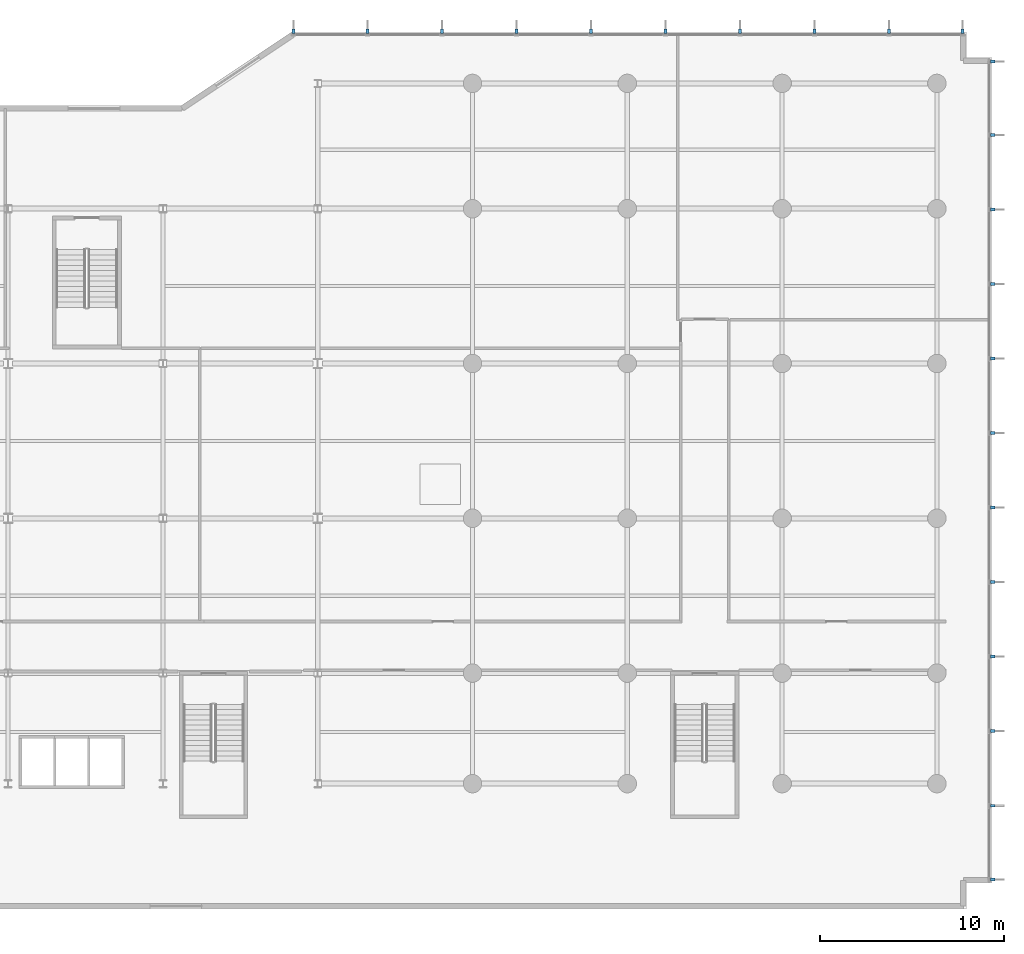
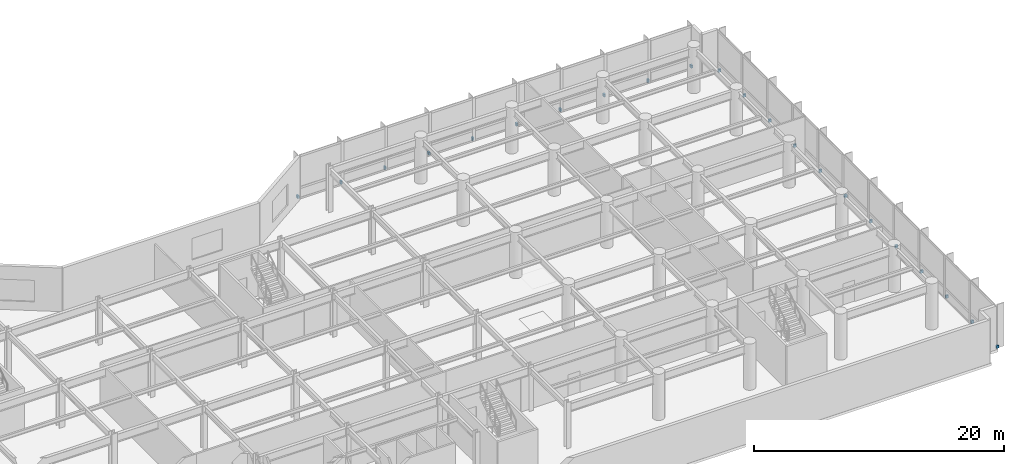
# One storey, part 20 of 26: 22 discrete accessories.
"""IFC4 building model written with IfcOpenShell, lengths in metres."""

import ifcopenshell
import ifcopenshell.guid

model = None  # the IFC model being written
_history = None  # IfcOwnerHistory: only IFC2X3 demands one
_inside = {}  # id of a spatial element -> (the spatial element, [elements in it])
_under = {}  # id of a project, library or spatial element -> (it, [spatial elements below it])
_declared = {}  # id of a project -> (the project, [libraries it declares])
_typed = {}  # id of a type object -> (the type object, [elements of that type])
_made_of = {}  # id of a material, layer set ... -> (it, [elements and type objects made of it])


def new_model(schema):
    """Start an empty IFC model of exactly this schema.

    Asked for "IFC4X3", IfcOpenShell would pick the latest addendum, in which some entities
    have other attributes; the version numbers below select the first issue.
    IFC2X3 requires an IfcOwnerHistory on every rooted entity: one is made here for all.
    """
    global model, _history
    if schema == "IFC4X3":
        model = ifcopenshell.file(schema_version=(4, 3, 0, 0))
    else:
        model = ifcopenshell.file(schema=schema)
    _inside.clear()
    _under.clear()
    _declared.clear()
    _typed.clear()
    _made_of.clear()
    _history = None
    if model.schema == "IFC2X3":
        org = make("IfcOrganization", Name="unknown")
        user = make(
            "IfcPersonAndOrganization",
            ThePerson=make("IfcPerson", FamilyName="unknown"),
            TheOrganization=org,
        )
        app = make(
            "IfcApplication",
            ApplicationDeveloper=org,
            Version="unknown",
            ApplicationFullName="unknown",
            ApplicationIdentifier="unknown",
        )
        _history = make(
            "IfcOwnerHistory",
            OwningUser=user,
            OwningApplication=app,
            ChangeAction="ADDED",
            CreationDate=0,
        )
    return model


def make(cls, **values):
    """One entity of the class cls with the attributes given. An attribute that is None is left unset."""
    return model.create_entity(
        cls, **{name: value for name, value in values.items() if value is not None}
    )


def rooted(cls, **values):
    """An entity with a GlobalId (a new one), such as an element, a storey or a relation."""
    return make(cls, GlobalId=ifcopenshell.guid.new(), OwnerHistory=_history, **values)


def si_unit(unit_type, name, prefix=None):
    """IfcSIUnit, for example si_unit("LENGTHUNIT", "METRE", prefix="MILLI")."""
    return make("IfcSIUnit", UnitType=unit_type, Prefix=prefix, Name=name)


def assignment(units):
    """IfcUnitAssignment: the units of a project."""
    return None if units is None else make("IfcUnitAssignment", Units=units)


def point(xyz):
    """IfcCartesianPoint."""
    return None if xyz is None else make("IfcCartesianPoint", Coordinates=xyz)


def direction(xyz):
    """IfcDirection."""
    return None if xyz is None else make("IfcDirection", DirectionRatios=xyz)


def frame(location, z_axis=None, x_axis=None):
    """IfcAxis2Placement3D, a coordinate frame: its origin and axes. An axis left out is left unset."""
    return make(
        "IfcAxis2Placement3D",
        Location=point(location),
        Axis=direction(z_axis),
        RefDirection=direction(x_axis),
    )


def frame_2d(location, x_axis=None):
    """IfcAxis2Placement2D, a coordinate frame in the plane: its origin and x axis."""
    return make(
        "IfcAxis2Placement2D", Location=point(location), RefDirection=direction(x_axis)
    )


def origin():
    """The frame at (0, 0, 0) with its axes left unset."""
    return frame((0.0, 0.0, 0.0))


def origin_2d():
    """The frame at (0, 0) in the plane with its x axis left unset."""
    return frame_2d((0.0, 0.0))


def place(relative_to, where):
    """IfcLocalPlacement: puts the frame where relative to a parent placement (None: the world)."""
    return make(
        "IfcLocalPlacement", PlacementRelTo=relative_to, RelativePlacement=where
    )


def context(
    kind, dimensions, precision=None, world=None, true_north=None, identifier=None
):
    """IfcGeometricRepresentationContext, for example the 3D "Model" context."""
    return make(
        "IfcGeometricRepresentationContext",
        ContextIdentifier=identifier,
        ContextType=kind,
        CoordinateSpaceDimension=dimensions,
        Precision=precision,
        WorldCoordinateSystem=world,
        TrueNorth=true_north,
    )


def subcontext(parent, identifier, kind, view, scale=None):
    """IfcGeometricRepresentationSubContext, for example "Body" below "Model"."""
    return make(
        "IfcGeometricRepresentationSubContext",
        ContextIdentifier=identifier,
        ContextType=kind,
        ParentContext=parent,
        TargetScale=scale,
        TargetView=view,
    )


def project(units=None, contexts=None):
    """IfcProject with its units and contexts."""
    return rooted(
        "IfcProject",
        Name="project",
        RepresentationContexts=contexts,
        UnitsInContext=assignment(units),
    )


def spatial(cls, under=None, at=None, **own):
    """A site, building, storey or space (cls), placed at a placement, below another one or the project."""
    s = rooted(cls, ObjectPlacement=at, **own)
    if under is not None:
        _under.setdefault(under.id(), (under, []))[1].append(s)
    return s


def profile(cls, at=None, kind="AREA", **sizes):
    """A parametric profile (cls). Its sizes go by their IFC names, for example OverallWidth=200.0."""
    return make(cls, ProfileType=kind, Position=at, **sizes)


def rectangle(**sizes):
    """IfcRectangleProfileDef."""
    return profile("IfcRectangleProfileDef", **sizes)


def extrude(swept, where, along, depth):
    """IfcExtrudedAreaSolid: the profile swept, set in the frame where, extruded along a direction by depth."""
    return make(
        "IfcExtrudedAreaSolid",
        SweptArea=swept,
        Position=where,
        ExtrudedDirection=direction(along),
        Depth=depth,
    )


def shape(context_of_items, identifier, shape_type, items):
    """IfcShapeRepresentation: the items that make up one representation, for example the "Body"."""
    return make(
        "IfcShapeRepresentation",
        ContextOfItems=context_of_items,
        RepresentationIdentifier=identifier,
        RepresentationType=shape_type,
        Items=items,
    )


def material(Name=None, Category=None):
    """IfcMaterial."""
    return make("IfcMaterial", Name=Name, Category=Category)


def made_of(thing, what):
    """Note that an element or type object is made of a material, layer set ...; save() writes the relation."""
    if what is not None:
        _made_of.setdefault(what.id(), (what, []))[1].append(thing)
    return thing


def type_object(cls, material=None, **own):
    """A type object (cls), such as IfcWallType, which elements share."""
    return made_of(rooted(cls, **own), material)


def element(
    cls,
    number,
    at=None,
    inside=None,
    cuts=None,
    type_object=None,
    material=None,
    context=None,
    identifier="Body",
    shape_type=None,
    held_by="IfcProductDefinitionShape",
    body=None,
    shapes=None,
    **own,
):
    """One element of the class cls, such as IfcWall. Its Tag is "e" and its number.

    at: its placement. inside: the storey or other place that contains it. cuts: it is an
    opening in that element (IfcRelVoidsElement). A single representation is given by context,
    identifier, shape_type and body (its items); several are given by shapes. held_by: the class
    of the entity that holds the representations. save() writes the other relations.
    """
    e = rooted(cls, Tag="e%d" % number, ObjectPlacement=at, **own)
    if body is not None:
        shapes = [shape(context, identifier, shape_type, body)]
    if shapes is not None:
        e.Representation = make(held_by, Representations=shapes)
    if inside is not None:
        _inside.setdefault(inside.id(), (inside, []))[1].append(e)
    if cuts is not None:
        rooted(
            "IfcRelVoidsElement", RelatingBuildingElement=cuts, RelatedOpeningElement=e
        )
    if type_object is not None:
        _typed.setdefault(type_object.id(), (type_object, []))[1].append(e)
    return made_of(e, material)


def aggregate(whole, parts):
    """IfcRelAggregates: a whole, such as a stair, and the parts it consists of."""
    return rooted("IfcRelAggregates", RelatingObject=whole, RelatedObjects=parts)


def save(model, path):
    """Write the relations noted so far, then the file.

    IfcRelAggregates (storeys below a building ...), IfcRelContainedInSpatialStructure (elements
    in a storey), IfcRelDefinesByType, IfcRelAssociatesMaterial and IfcRelDeclares: one each for
    every whole, place, type object, material and project.
    """
    for whole, parts in _under.values():
        aggregate(whole, parts)
    for where, things in _inside.values():
        rooted(
            "IfcRelContainedInSpatialStructure",
            RelatedElements=things,
            RelatingStructure=where,
        )
    for kind, things in _typed.values():
        rooted("IfcRelDefinesByType", RelatedObjects=things, RelatingType=kind)
    for what, things in _made_of.values():
        rooted("IfcRelAssociatesMaterial", RelatedObjects=things, RelatingMaterial=what)
    for by, libraries in _declared.values():
        rooted("IfcRelDeclares", RelatingContext=by, RelatedDefinitions=libraries)
    model.write(path)


model = new_model("IFC4")

# Units and contexts
model_context = context("Model", 3, precision=1e-05, world=origin(), true_north=direction((0.0, 1.0)))
body_context = subcontext(model_context, "Body", "Model", "MODEL_VIEW")
ifc_project = project(units=[si_unit("LENGTHUNIT", "METRE"), si_unit("AREAUNIT", "SQUARE_METRE"), si_unit("VOLUMEUNIT", "CUBIC_METRE"), si_unit("PLANEANGLEUNIT", "RADIAN"), si_unit("MASSUNIT", "GRAM", prefix="KILO")], contexts=[model_context])

# Site, building, storey
site_placement = place(None, origin())
site = spatial("IfcSite", under=ifc_project, at=site_placement, CompositionType="ELEMENT")
building_placement = place(site_placement, origin())
building = spatial("IfcBuilding", under=site, at=building_placement, Name="Varnakote Quay Hospital", CompositionType="ELEMENT")
storey_placement = place(building_placement, frame((0.0, 0.0, 9.0)))
storey = spatial("IfcBuildingStorey", under=building, at=storey_placement, Name="L02", CompositionType="ELEMENT", Elevation=9.0)

# Discrete accessories
ifc_material = material(Name="Anodised aluminium 6063-T6 Bronze", Category="aluminium")
discrete_accessory_type = type_object("IfcDiscreteAccessoryType", Name="ACC-FIN-BRACKET-180", PredefinedType="BRACKET", material=ifc_material)
for number, where, z_axis, x_axis, name in (
    (1, (87.030029296875, 0.802490234375, 0.0), (0.0, 0.0, 1.0), (0.0, 1.0, 0.0), "L02 Curtain Wall Fin Fixing Bracket"),
    (2, (87.030029296875, 4.8037109375, 0.0), (0.0, 0.0, 1.0), (0.0, 1.0, 0.0), "L02 Curtain Wall Fin Fixing Bracket"),
    (3, (87.030029296875, 8.847412109375, 0.0), (0.0, 0.0, 1.0), (0.0, 1.0, 0.0), "L02 Curtain Wall Fin Fixing Bracket"),
    (4, (87.030029296875, 12.890869140625, 0.0), (0.0, 0.0, 1.0), (0.0, 1.0, 0.0), "L02 Curtain Wall Fin Fixing Bracket"),
    (5, (87.030029296875, 16.9345703125, 0.0), (0.0, 0.0, 1.0), (0.0, 1.0, 0.0), "L02 Curtain Wall Fin Fixing Bracket"),
    (6, (87.030029296875, 20.978271484375, 0.0), (0.0, 0.0, 1.0), (0.0, 1.0, 0.0), "L02 Curtain Wall Fin Fixing Bracket"),
    (7, (87.030029296875, 25.021728515625, 0.0), (0.0, 0.0, 1.0), (0.0, 1.0, 0.0), "L02 Curtain Wall Fin Fixing Bracket"),
    (8, (87.030029296875, 29.0654296875, 0.0), (0.0, 0.0, 1.0), (0.0, 1.0, 0.0), "L02 Curtain Wall Fin Fixing Bracket"),
    (9, (87.030029296875, 33.109130859375, 0.0), (0.0, 0.0, 1.0), (0.0, 1.0, 0.0), "L02 Curtain Wall Fin Fixing Bracket"),
    (10, (87.030029296875, 37.152587890625, 0.0), (0.0, 0.0, 1.0), (0.0, 1.0, 0.0), "L02 Curtain Wall Fin Fixing Bracket"),
    (11, (87.030029296875, 41.1962890625, 0.0), (0.0, 0.0, 1.0), (0.0, 1.0, 0.0), "L02 Curtain Wall Fin Fixing Bracket"),
    (12, (87.030029296875, 45.197509765625, 0.0), (0.0, 0.0, 1.0), (0.0, 1.0, 0.0), "L02 Curtain Wall Fin Fixing Bracket"),
    (13, (85.3974609375, 46.830078125, 0.0), (0.0, 0.0, 1.0), (-1.0, 0.0, 0.0), "L02 Curtain Wall Fin Fixing Bracket"),
    (14, (81.396484375, 46.830078125, 0.0), (0.0, 0.0, 1.0), (-1.0, 0.0, 0.0), "L02 Curtain Wall Fin Fixing Bracket"),
    (15, (77.35302734375, 46.830078125, 0.0), (0.0, 0.0, 1.0), (-1.0, 0.0, 0.0), "L02 Curtain Wall Fin Fixing Bracket"),
    (16, (73.3095703125, 46.830078125, 0.0), (0.0, 0.0, 1.0), (-1.0, 0.0, 0.0), "L02 Curtain Wall Fin Fixing Bracket"),
    (17, (69.26611328125, 46.830078125, 0.0), (0.0, 0.0, 1.0), (-1.0, 0.0, 0.0), "L02 Curtain Wall Fin Fixing Bracket"),
    (18, (65.222412109375, 46.830078125, 0.0), (0.0, 0.0, 1.0), (-1.0, 0.0, 0.0), "L02 Curtain Wall Fin Fixing Bracket"),
    (19, (61.178955078125, 46.830078125, 0.0), (0.0, 0.0, 1.0), (-1.0, 0.0, 0.0), "L02 Curtain Wall Fin Fixing Bracket"),
    (20, (57.135498046875, 46.830078125, 0.0), (0.0, 0.0, 1.0), (-1.0, 0.0, 0.0), "L02 Curtain Wall Fin Fixing Bracket"),
    (21, (53.091796875, 46.830078125, 0.0), (0.0, 0.0, 1.0), (-1.0, 0.0, 0.0), "L02 Curtain Wall Fin Fixing Bracket"),
    (22, (49.0908203125, 46.830078125, 0.0), (0.0, 0.0, 1.0), (-1.0, 0.0, 0.0), "L02 Curtain Wall Fin Fixing Bracket"),
):
    element("IfcDiscreteAccessory", number, at=place(storey_placement, frame(where, z_axis=z_axis, x_axis=x_axis)), inside=storey, type_object=discrete_accessory_type, Name=name, PredefinedType="BRACKET", context=body_context, shape_type="SweptSolid", body=[
        extrude(rectangle(XDim=0.159912109375, YDim=0.239990234375, at=origin_2d()), origin(), (0.0, 0.0, 1.0), 0.280029296875),
    ])

save(model, "model.ifc")
